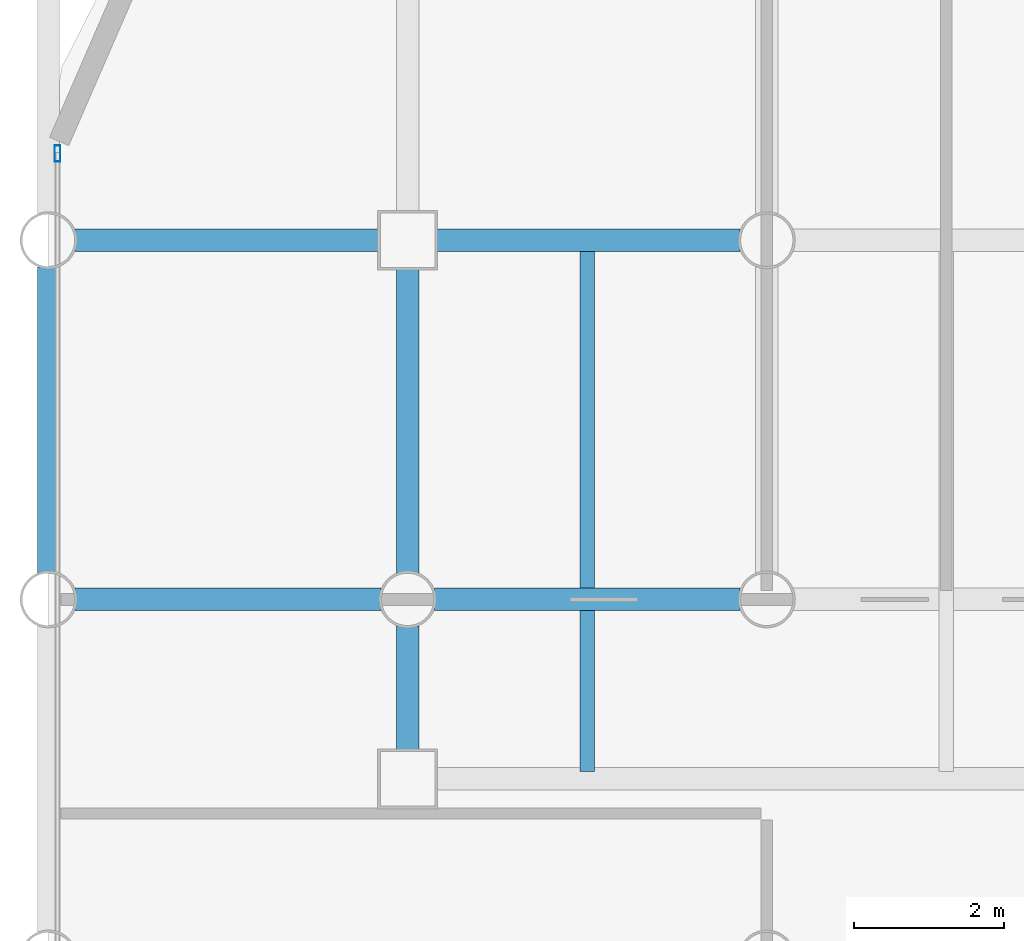
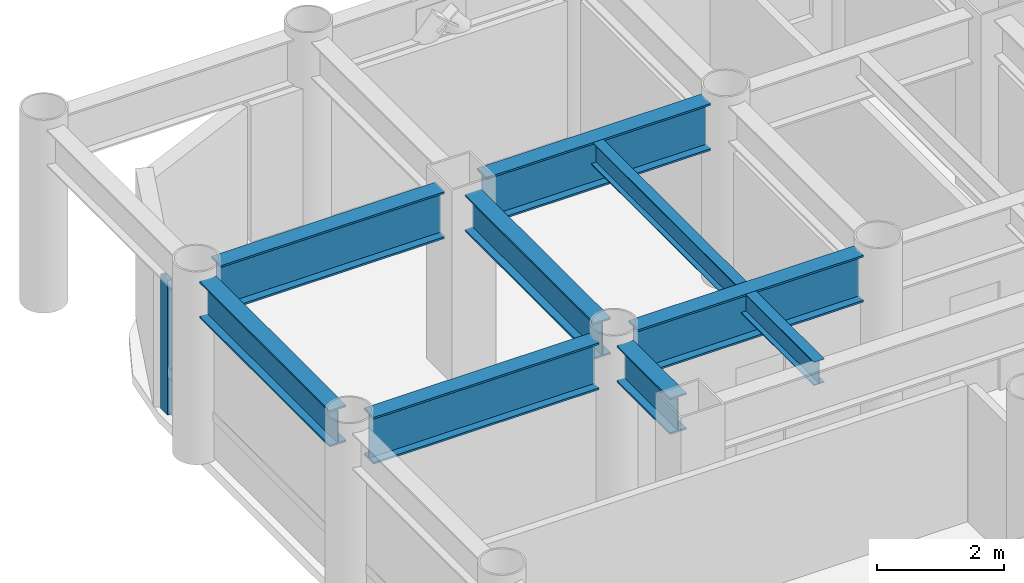
# One storey, part 9 of 19: 8 beams, 1 member, 1 element without a shape of its own.
"""IFC4 building model written with IfcOpenShell, lengths in metres."""

import ifcopenshell
import ifcopenshell.guid

model = None  # the IFC model being written
_history = None  # IfcOwnerHistory: only IFC2X3 demands one
_inside = {}  # id of a spatial element -> (the spatial element, [elements in it])
_under = {}  # id of a project, library or spatial element -> (it, [spatial elements below it])
_declared = {}  # id of a project -> (the project, [libraries it declares])
_typed = {}  # id of a type object -> (the type object, [elements of that type])
_made_of = {}  # id of a material, layer set ... -> (it, [elements and type objects made of it])


def new_model(schema):
    """Start an empty IFC model of exactly this schema.

    Asked for "IFC4X3", IfcOpenShell would pick the latest addendum, in which some entities
    have other attributes; the version numbers below select the first issue.
    IFC2X3 requires an IfcOwnerHistory on every rooted entity: one is made here for all.
    """
    global model, _history
    if schema == "IFC4X3":
        model = ifcopenshell.file(schema_version=(4, 3, 0, 0))
    else:
        model = ifcopenshell.file(schema=schema)
    _inside.clear()
    _under.clear()
    _declared.clear()
    _typed.clear()
    _made_of.clear()
    _history = None
    if model.schema == "IFC2X3":
        org = make("IfcOrganization", Name="unknown")
        user = make(
            "IfcPersonAndOrganization",
            ThePerson=make("IfcPerson", FamilyName="unknown"),
            TheOrganization=org,
        )
        app = make(
            "IfcApplication",
            ApplicationDeveloper=org,
            Version="unknown",
            ApplicationFullName="unknown",
            ApplicationIdentifier="unknown",
        )
        _history = make(
            "IfcOwnerHistory",
            OwningUser=user,
            OwningApplication=app,
            ChangeAction="ADDED",
            CreationDate=0,
        )
    return model


def make(cls, **values):
    """One entity of the class cls with the attributes given. An attribute that is None is left unset."""
    return model.create_entity(
        cls, **{name: value for name, value in values.items() if value is not None}
    )


def rooted(cls, **values):
    """An entity with a GlobalId (a new one), such as an element, a storey or a relation."""
    return make(cls, GlobalId=ifcopenshell.guid.new(), OwnerHistory=_history, **values)


def si_unit(unit_type, name, prefix=None):
    """IfcSIUnit, for example si_unit("LENGTHUNIT", "METRE", prefix="MILLI")."""
    return make("IfcSIUnit", UnitType=unit_type, Prefix=prefix, Name=name)


def assignment(units):
    """IfcUnitAssignment: the units of a project."""
    return None if units is None else make("IfcUnitAssignment", Units=units)


def point(xyz):
    """IfcCartesianPoint."""
    return None if xyz is None else make("IfcCartesianPoint", Coordinates=xyz)


def direction(xyz):
    """IfcDirection."""
    return None if xyz is None else make("IfcDirection", DirectionRatios=xyz)


def frame(location, z_axis=None, x_axis=None):
    """IfcAxis2Placement3D, a coordinate frame: its origin and axes. An axis left out is left unset."""
    return make(
        "IfcAxis2Placement3D",
        Location=point(location),
        Axis=direction(z_axis),
        RefDirection=direction(x_axis),
    )


def frame_2d(location, x_axis=None):
    """IfcAxis2Placement2D, a coordinate frame in the plane: its origin and x axis."""
    return make(
        "IfcAxis2Placement2D", Location=point(location), RefDirection=direction(x_axis)
    )


def origin():
    """The frame at (0, 0, 0) with its axes left unset."""
    return frame((0.0, 0.0, 0.0))


def origin_2d():
    """The frame at (0, 0) in the plane with its x axis left unset."""
    return frame_2d((0.0, 0.0))


def place(relative_to, where):
    """IfcLocalPlacement: puts the frame where relative to a parent placement (None: the world)."""
    return make(
        "IfcLocalPlacement", PlacementRelTo=relative_to, RelativePlacement=where
    )


def context(
    kind, dimensions, precision=None, world=None, true_north=None, identifier=None
):
    """IfcGeometricRepresentationContext, for example the 3D "Model" context."""
    return make(
        "IfcGeometricRepresentationContext",
        ContextIdentifier=identifier,
        ContextType=kind,
        CoordinateSpaceDimension=dimensions,
        Precision=precision,
        WorldCoordinateSystem=world,
        TrueNorth=true_north,
    )


def subcontext(parent, identifier, kind, view, scale=None):
    """IfcGeometricRepresentationSubContext, for example "Body" below "Model"."""
    return make(
        "IfcGeometricRepresentationSubContext",
        ContextIdentifier=identifier,
        ContextType=kind,
        ParentContext=parent,
        TargetScale=scale,
        TargetView=view,
    )


def project(units=None, contexts=None):
    """IfcProject with its units and contexts."""
    return rooted(
        "IfcProject",
        Name="project",
        RepresentationContexts=contexts,
        UnitsInContext=assignment(units),
    )


def spatial(cls, under=None, at=None, **own):
    """A site, building, storey or space (cls), placed at a placement, below another one or the project."""
    s = rooted(cls, ObjectPlacement=at, **own)
    if under is not None:
        _under.setdefault(under.id(), (under, []))[1].append(s)
    return s


def profile(cls, at=None, kind="AREA", **sizes):
    """A parametric profile (cls). Its sizes go by their IFC names, for example OverallWidth=200.0."""
    return make(cls, ProfileType=kind, Position=at, **sizes)


def hollow_rectangle(**sizes):
    """IfcRectangleHollowProfileDef."""
    return profile("IfcRectangleHollowProfileDef", **sizes)


def i_section(**sizes):
    """IfcIShapeProfileDef."""
    return profile("IfcIShapeProfileDef", **sizes)


def extrude(swept, where, along, depth):
    """IfcExtrudedAreaSolid: the profile swept, set in the frame where, extruded along a direction by depth."""
    return make(
        "IfcExtrudedAreaSolid",
        SweptArea=swept,
        Position=where,
        ExtrudedDirection=direction(along),
        Depth=depth,
    )


def shape(context_of_items, identifier, shape_type, items):
    """IfcShapeRepresentation: the items that make up one representation, for example the "Body"."""
    return make(
        "IfcShapeRepresentation",
        ContextOfItems=context_of_items,
        RepresentationIdentifier=identifier,
        RepresentationType=shape_type,
        Items=items,
    )


def material(Name=None, Category=None):
    """IfcMaterial."""
    return make("IfcMaterial", Name=Name, Category=Category)


def layer(
    of_material, thickness, ventilated=None, Name=None, Category=None, Priority=None
):
    """IfcMaterialLayer: one layer of a wall or slab, of a material (None: an air gap)."""
    return make(
        "IfcMaterialLayer",
        Material=of_material,
        LayerThickness=thickness,
        IsVentilated=ventilated,
        Name=Name,
        Category=Category,
        Priority=Priority,
    )


def layer_set(layers, Name=None):
    """IfcMaterialLayerSet."""
    return make("IfcMaterialLayerSet", MaterialLayers=layers, LayerSetName=Name)


def material_profile(
    of_material, cross_section, Name=None, Category=None, Priority=None
):
    """IfcMaterialProfile: a cross section and its material."""
    return make(
        "IfcMaterialProfile",
        Name=Name,
        Material=of_material,
        Profile=cross_section,
        Priority=Priority,
        Category=Category,
    )


def profile_set(profiles, Name=None, composite=None):
    """IfcMaterialProfileSet."""
    return make(
        "IfcMaterialProfileSet",
        Name=Name,
        MaterialProfiles=profiles,
        CompositeProfile=composite,
    )


def made_of(thing, what):
    """Note that an element or type object is made of a material, layer set ...; save() writes the relation."""
    if what is not None:
        _made_of.setdefault(what.id(), (what, []))[1].append(thing)
    return thing


def type_object(cls, material=None, **own):
    """A type object (cls), such as IfcWallType, which elements share."""
    return made_of(rooted(cls, **own), material)


def element(
    cls,
    number,
    at=None,
    inside=None,
    cuts=None,
    type_object=None,
    material=None,
    context=None,
    identifier="Body",
    shape_type=None,
    held_by="IfcProductDefinitionShape",
    body=None,
    shapes=None,
    **own,
):
    """One element of the class cls, such as IfcWall. Its Tag is "e" and its number.

    at: its placement. inside: the storey or other place that contains it. cuts: it is an
    opening in that element (IfcRelVoidsElement). A single representation is given by context,
    identifier, shape_type and body (its items); several are given by shapes. held_by: the class
    of the entity that holds the representations. save() writes the other relations.
    """
    e = rooted(cls, Tag="e%d" % number, ObjectPlacement=at, **own)
    if body is not None:
        shapes = [shape(context, identifier, shape_type, body)]
    if shapes is not None:
        e.Representation = make(held_by, Representations=shapes)
    if inside is not None:
        _inside.setdefault(inside.id(), (inside, []))[1].append(e)
    if cuts is not None:
        rooted(
            "IfcRelVoidsElement", RelatingBuildingElement=cuts, RelatedOpeningElement=e
        )
    if type_object is not None:
        _typed.setdefault(type_object.id(), (type_object, []))[1].append(e)
    return made_of(e, material)


def aggregate(whole, parts):
    """IfcRelAggregates: a whole, such as a stair, and the parts it consists of."""
    return rooted("IfcRelAggregates", RelatingObject=whole, RelatedObjects=parts)


def save(model, path):
    """Write the relations noted so far, then the file.

    IfcRelAggregates (storeys below a building ...), IfcRelContainedInSpatialStructure (elements
    in a storey), IfcRelDefinesByType, IfcRelAssociatesMaterial and IfcRelDeclares: one each for
    every whole, place, type object, material and project.
    """
    for whole, parts in _under.values():
        aggregate(whole, parts)
    for where, things in _inside.values():
        rooted(
            "IfcRelContainedInSpatialStructure",
            RelatedElements=things,
            RelatingStructure=where,
        )
    for kind, things in _typed.values():
        rooted("IfcRelDefinesByType", RelatedObjects=things, RelatingType=kind)
    for what, things in _made_of.values():
        rooted("IfcRelAssociatesMaterial", RelatedObjects=things, RelatingMaterial=what)
    for by, libraries in _declared.values():
        rooted("IfcRelDeclares", RelatingContext=by, RelatedDefinitions=libraries)
    model.write(path)


model = new_model("IFC4")

# Units and contexts
model_context = context("Model", 3, precision=1e-05, world=origin(), true_north=direction((0.0, 1.0)))
body_context = subcontext(model_context, "Body", "Model", "MODEL_VIEW")
ifc_project = project(units=[si_unit("LENGTHUNIT", "METRE"), si_unit("AREAUNIT", "SQUARE_METRE"), si_unit("VOLUMEUNIT", "CUBIC_METRE"), si_unit("PLANEANGLEUNIT", "RADIAN"), si_unit("MASSUNIT", "GRAM", prefix="KILO")], contexts=[model_context])

# Site, building, storey
site_placement = place(None, origin())
site = spatial("IfcSite", under=ifc_project, at=site_placement, CompositionType="ELEMENT")
building_placement = place(site_placement, origin())
building = spatial("IfcBuilding", under=site, at=building_placement, Name="Kallvorn Hotel Tower", CompositionType="ELEMENT")
storey_placement = place(building_placement, frame((0.0, 0.0, 67.0)))
storey = spatial("IfcBuildingStorey", under=building, at=storey_placement, Name="L15", CompositionType="ELEMENT", Elevation=67.0)

# Beams
ifc_material_1 = material(Name="Structural steel S355JR", Category="steel")
ifc_material_profile_1 = material_profile(ifc_material_1, i_section(OverallWidth=0.300048828125, OverallDepth=0.699951171875, WebThickness=0.01708984375, FlangeThickness=0.031982421875, at=origin_2d()), Name="HE 700 B")
ifc_profile_set_1 = profile_set([ifc_material_profile_1], Name="Structural steel S355JR")
beam_type_1 = type_object("IfcBeamType", Name="BM_HE700B", PredefinedType="BEAM", material=ifc_profile_set_1)
beam_1_placement = place(storey_placement, frame((-28.800048828125, 9.9560546875, 3.169921875), z_axis=(0.0, 1.0, 0.0), x_axis=(-1.0, 0.0, 0.0)))
element("IfcBeam", 1, at=beam_1_placement, inside=storey, type_object=beam_type_1, Name="L16 Primary Y-Girder 79", PredefinedType="BEAM", context=body_context, shape_type="SweptSolid", body=[
    extrude(i_section(OverallWidth=0.300048828125, OverallDepth=0.699951171875, WebThickness=0.01708984375, FlangeThickness=0.031982421875, at=origin_2d()), origin(), (0.0, 0.0, 1.0), 4.087890625),
])
beam_2_placement = place(storey_placement, frame((-24.0, 7.574951171875, 3.169921875), z_axis=(0.0, 1.0, 0.0), x_axis=(-1.0, 0.0, 0.0)))
element("IfcBeam", 2, at=beam_2_placement, inside=storey, type_object=beam_type_1, Name="L16 Primary Y-Girder 85", PredefinedType="BEAM", context=body_context, shape_type="SweptSolid", body=[
    extrude(i_section(OverallWidth=0.300048828125, OverallDepth=0.699951171875, WebThickness=0.01708984375, FlangeThickness=0.031982421875, at=origin_2d()), origin(), (0.0, 0.0, 1.0), 1.6689453125),
])
beam_3_placement = place(storey_placement, frame((-24.0, 9.9560546875, 3.169921875), z_axis=(0.0, 1.0, 0.0), x_axis=(-1.0, 0.0, 0.0)))
element("IfcBeam", 3, at=beam_3_placement, inside=storey, type_object=beam_type_1, Name="L16 Primary Y-Girder 86", PredefinedType="BEAM", context=body_context, shape_type="SweptSolid", body=[
    extrude(i_section(OverallWidth=0.300048828125, OverallDepth=0.699951171875, WebThickness=0.01708984375, FlangeThickness=0.031982421875, at=origin_2d()), origin(), (0.0, 0.0, 1.0), 4.06884765625),
])
ifc_material_2 = material(Name="Structural steel S355JR", Category="steel")
ifc_material_profile_2 = material_profile(ifc_material_2, i_section(OverallWidth=0.300048828125, OverallDepth=0.89990234375, WebThickness=0.0185546875, FlangeThickness=0.034912109375, at=origin_2d()), Name="HE 900 B")
ifc_profile_set_2 = profile_set([ifc_material_profile_2], Name="Structural steel S355JR")
beam_type_2 = type_object("IfcBeamType", Name="BM_HE900B", PredefinedType="BEAM", material=ifc_profile_set_2)
for number, where, z_axis, x_axis, name in (
    (4, (-28.444091796875, 9.60009765625, 3.070068359375), (1.0, 0.0, 0.0), (0.0, 1.0, 0.0), "L16 Primary X-Girder 42"),
    (5, (-23.64404296875, 9.60009765625, 3.070068359375), (1.0, 0.0, 0.0), (0.0, 1.0, 0.0), "L16 Primary X-Girder 43"),
):
    element("IfcBeam", number, at=place(storey_placement, frame(where, z_axis=z_axis, x_axis=x_axis)), inside=storey, type_object=beam_type_2, Name=name, PredefinedType="BEAM", context=body_context, shape_type="SweptSolid", body=[
        extrude(i_section(OverallWidth=0.300048828125, OverallDepth=0.89990234375, WebThickness=0.0185546875, FlangeThickness=0.034912109375, at=origin_2d()), origin(), (0.0, 0.0, 1.0), 4.088134765625),
    ])
for number, where, z_axis, x_axis, name in (
    (6, (-28.444091796875, 14.39990234375, 3.070068359375), (1.0, 0.0, 0.0), (0.0, 1.0, 0.0), "L16 Primary X-Girder 51"),
    (7, (-23.625, 14.39990234375, 3.070068359375), (1.0, 0.0, 0.0), (0.0, 1.0, 0.0), "L16 Primary X-Girder 52"),
):
    element("IfcBeam", number, at=place(storey_placement, frame(where, z_axis=z_axis, x_axis=x_axis)), inside=storey, type_object=beam_type_2, Name=name, PredefinedType="BEAM", context=body_context, shape_type="SweptSolid", body=[
        extrude(i_section(OverallWidth=0.300048828125, OverallDepth=0.89990234375, WebThickness=0.0185546875, FlangeThickness=0.034912109375, at=origin_2d()), origin(), (0.0, 0.0, 1.0), 4.069091796875),
    ])
ifc_material_3 = material(Name="Structural steel S355JR", Category="steel")
ifc_material_profile_3 = material_profile(ifc_material_3, i_section(OverallWidth=0.18994140625, OverallDepth=0.449951171875, WebThickness=0.009521484375, FlangeThickness=0.0146484375, at=origin_2d()), Name="IPE 450")
ifc_profile_set_3 = profile_set([ifc_material_profile_3], Name="Structural steel S355JR")
beam_type_3 = type_object("IfcBeamType", Name="BM_IPE450", PredefinedType="JOIST", material=ifc_profile_set_3)
beam_4_placement = place(storey_placement, frame((-21.60009765625, 7.300048828125, 3.294921875), z_axis=(0.0, 1.0, 0.0), x_axis=(-1.0, 0.0, 0.0)))
element("IfcBeam", 8, at=beam_4_placement, inside=storey, type_object=beam_type_3, Name="L16 Secondary Composite Joist 193", PredefinedType="JOIST", context=body_context, shape_type="SweptSolid", body=[
    extrude(i_section(OverallWidth=0.18994140625, OverallDepth=0.449951171875, WebThickness=0.009521484375, FlangeThickness=0.0146484375, at=origin_2d()), origin(), (0.0, 0.0, 1.0), 7.0),
])

# Curtain wall, member
ifc_material_4 = material(Name="Thermally broken black-anodised aluminium AA 6063-T6", Category="aluminium")
ifc_layer = layer(ifc_material_4, 0.199951171875)
ifc_layer_set = layer_set([ifc_layer], Name="CW_SYS_3_HOTEL_LOW")
curtain_wall_type = type_object("IfcCurtainWallType", Name="CW_SYS_3_HOTEL_LOW", PredefinedType="USERDEFINED", material=ifc_layer_set)
curtain_wall_placement = place(storey_placement, origin())
curtain_wall = element("IfcCurtainWall", 9, at=curtain_wall_placement, inside=storey, type_object=curtain_wall_type, Name="L15 Dark-Glass Curtain Wall CW-L15-WN", ObjectType="UNITISED CURTAIN WALL", PredefinedType="USERDEFINED")
ifc_material_5 = material(Name="Thermally broken black-anodised aluminium AA 6063-T6", Category="aluminium")
ifc_material_profile_4 = material_profile(ifc_material_5, hollow_rectangle(XDim=0.080078125, YDim=0.219970703125, WallThickness=0.0048828125, at=origin_2d()), Name="MUL 220x80")
ifc_profile_set_4 = profile_set([ifc_material_profile_4], Name="Thermally broken black-anodised aluminium AA 6063-T6")
member_type = type_object("IfcMemberType", Name="CW_MULLION_220x80", PredefinedType="MULLION", material=ifc_profile_set_4)
member_placement = place(storey_placement, frame((-28.679931640625, 15.56005859375, 0.02001953125), z_axis=(0.0, 0.0, 1.0), x_axis=(1.0, 0.0, 0.0)))
member = element("IfcMember", 10, at=member_placement, type_object=member_type, Name="CW-L15-WN Mullion 01", PredefinedType="MULLION", context=body_context, shape_type="SweptSolid", body=[
    extrude(hollow_rectangle(XDim=0.080078125, YDim=0.219970703125, WallThickness=0.0048828125, at=origin_2d()), origin(), (0.0, 0.0, 1.0), 2.580078125),
])
aggregate(curtain_wall, [member])

save(model, "model.ifc")
